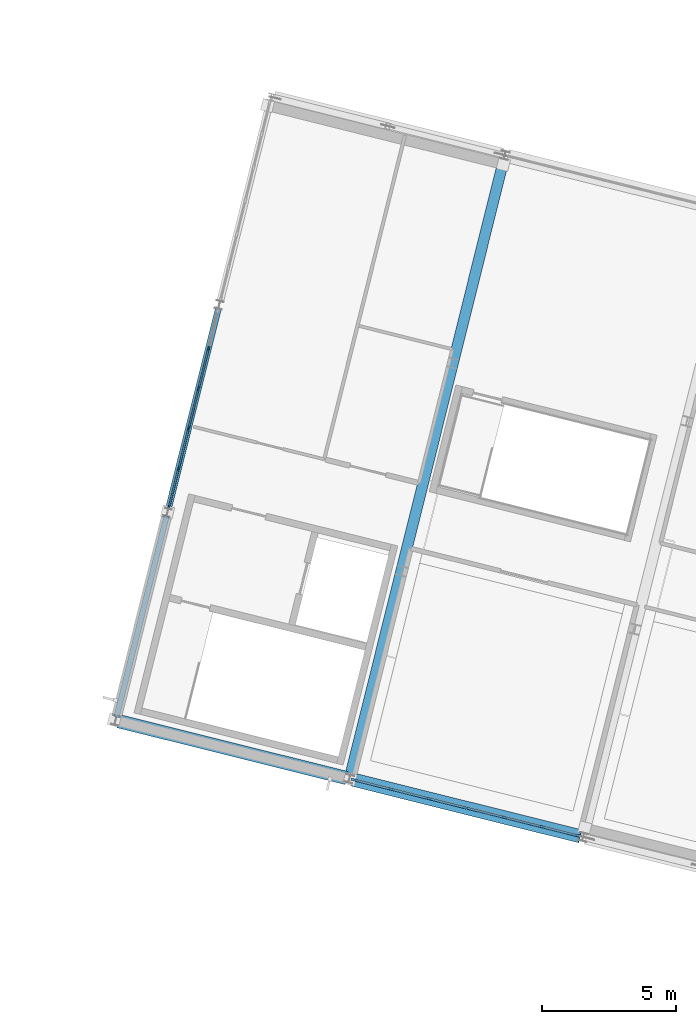
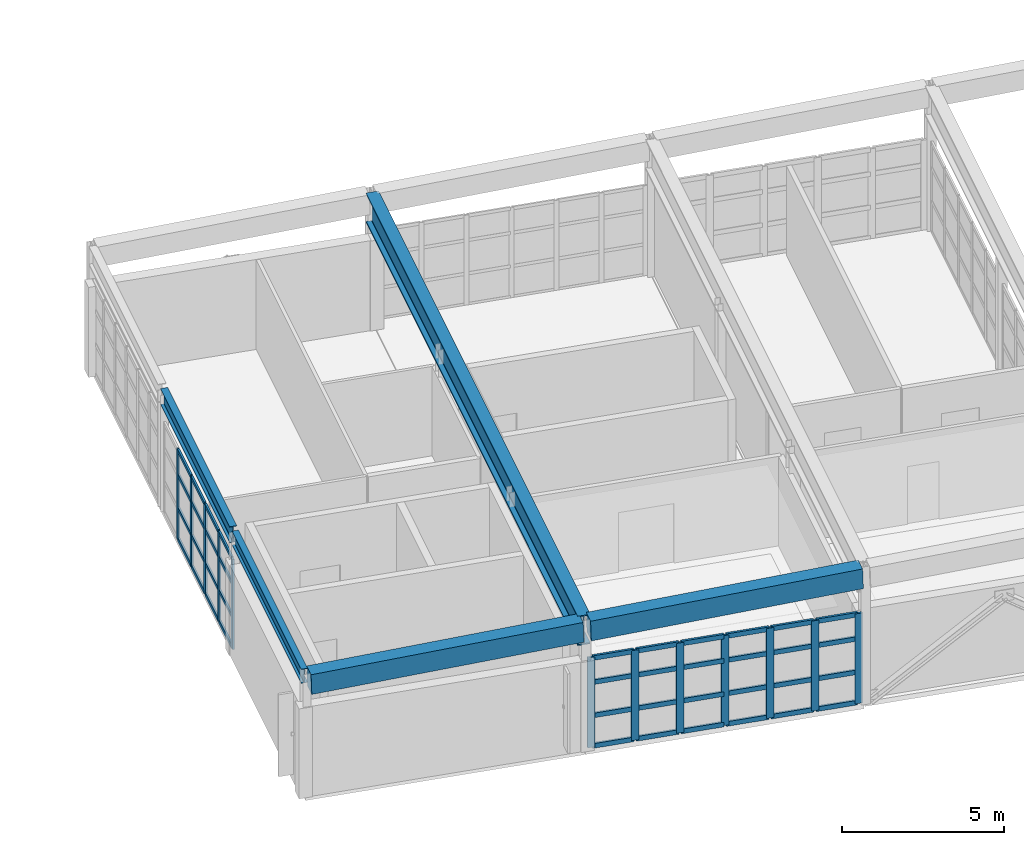
# One storey, part 8 of 27: 52 members, 5 beams, 2 elements without a shape of their own.
"""IFC4 building model written with IfcOpenShell, lengths in metres."""

from ifc_helpers import new_model, si_unit, direction, frame, origin, origin_2d, place, context, subcontext, project, spatial, rectangle, i_section, extrude, material, layer, layer_set, material_profile, profile_set, type_object, element, aggregate, save


model = new_model("IFC4")

# Units and contexts
model_context = context("Model", 3, precision=1e-05, world=origin(), true_north=direction((0.0, 1.0)))
body_context = subcontext(model_context, "Body", "Model", "MODEL_VIEW")
ifc_project = project(units=[si_unit("LENGTHUNIT", "METRE"), si_unit("AREAUNIT", "SQUARE_METRE"), si_unit("VOLUMEUNIT", "CUBIC_METRE"), si_unit("PLANEANGLEUNIT", "RADIAN"), si_unit("MASSUNIT", "GRAM", prefix="KILO")], contexts=[model_context])

# Site, building, storey
site_placement = place(None, origin())
site = spatial("IfcSite", under=ifc_project, at=site_placement, CompositionType="ELEMENT")
building_placement = place(site_placement, origin())
building = spatial("IfcBuilding", under=site, at=building_placement, Name="Vireo Bluff Cable Station", CompositionType="ELEMENT")
storey_placement = place(building_placement, frame((0.0, 0.0, 19.199951171875)))
storey = spatial("IfcBuildingStorey", under=building, at=storey_placement, Name="L04", CompositionType="ELEMENT", Elevation=19.199951171875)

# Curtain wall, members
ifc_material_1 = material(Name="Anodized Aluminium 6063-T6", Category="aluminium")
ifc_layer_1 = layer(ifc_material_1, 0.179931640625, Name="Anodized Aluminium 6063-T6")
ifc_layer_set_1 = layer_set([ifc_layer_1], Name="Anodized Aluminium 6063-T6")
curtain_wall_type_1 = type_object("IfcCurtainWallType", Name="CW-UNIT-1650", PredefinedType="USERDEFINED", material=ifc_layer_set_1)
curtain_wall_1_placement = place(storey_placement, origin())
curtain_wall_1 = element("IfcCurtainWall", 1, at=curtain_wall_1_placement, inside=storey, type_object=curtain_wall_type_1, Name="V1 L04 west curtain wall CW-032", ObjectType="UNITISED CURTAIN WALL", PredefinedType="USERDEFINED")
ifc_material_profile_1 = material_profile(ifc_material_1, rectangle(XDim=0.06494140625, YDim=0.179931640625, at=origin_2d()), Name="ALU-M-65X180")
ifc_profile_set_1 = profile_set([ifc_material_profile_1], Name="Anodized Aluminium 6063-T6")
member_type_1 = type_object("IfcMemberType", Name="CWM-01", PredefinedType="MULLION", material=ifc_profile_set_1)
member_1_placement = place(storey_placement, frame((55.981201171875, 45.9462890625, 0.0), z_axis=(0.0, 0.0, 1.0), x_axis=(-0.970295746037, 0.241921816345, 0.0)))
member_1 = element("IfcMember", 2, at=member_1_placement, type_object=member_type_1, Name="CW-032 mullion 1", PredefinedType="MULLION", context=body_context, shape_type="SweptSolid", body=[
    extrude(rectangle(XDim=0.06494140625, YDim=0.179931640625, at=origin_2d()), origin(), (0.0, 0.0, 1.0), 3.400146484375),
])
member_2_placement = place(storey_placement, frame((56.34521484375, 47.40673828125, 0.0), z_axis=(0.0, 0.0, 1.0), x_axis=(-0.970295746037, 0.241921816345, 0.0)))
member_2 = element("IfcMember", 3, at=member_2_placement, type_object=member_type_1, Name="CW-032 mullion 2", PredefinedType="MULLION", context=body_context, shape_type="SweptSolid", body=[
    extrude(rectangle(XDim=0.06494140625, YDim=0.179931640625, at=origin_2d()), origin(), (0.0, 0.0, 1.0), 3.400146484375),
])
member_3_placement = place(storey_placement, frame((56.71728515625, 48.8984375, 0.0), z_axis=(0.0, 0.0, 1.0), x_axis=(-0.970295746037, 0.241921816345, 0.0)))
member_3 = element("IfcMember", 4, at=member_3_placement, type_object=member_type_1, Name="CW-032 mullion 3", PredefinedType="MULLION", context=body_context, shape_type="SweptSolid", body=[
    extrude(rectangle(XDim=0.06494140625, YDim=0.179931640625, at=origin_2d()), origin(), (0.0, 0.0, 1.0), 3.400146484375),
])
member_4_placement = place(storey_placement, frame((57.08935546875, 50.390380859375, 0.0), z_axis=(0.0, 0.0, 1.0), x_axis=(-0.970295746037, 0.241921816345, 0.0)))
member_4 = element("IfcMember", 5, at=member_4_placement, type_object=member_type_1, Name="CW-032 mullion 4", PredefinedType="MULLION", context=body_context, shape_type="SweptSolid", body=[
    extrude(rectangle(XDim=0.06494140625, YDim=0.179931640625, at=origin_2d()), origin(), (0.0, 0.0, 1.0), 3.400146484375),
])
member_5_placement = place(storey_placement, frame((57.461181640625, 51.88232421875, 0.0), z_axis=(0.0, 0.0, 1.0), x_axis=(-0.970295746037, 0.241921816345, 0.0)))
member_5 = element("IfcMember", 6, at=member_5_placement, type_object=member_type_1, Name="CW-032 mullion 5", PredefinedType="MULLION", context=body_context, shape_type="SweptSolid", body=[
    extrude(rectangle(XDim=0.06494140625, YDim=0.179931640625, at=origin_2d()), origin(), (0.0, 0.0, 1.0), 3.400146484375),
])

ifc_layer_2 = layer(ifc_material_1, 0.179931640625, Name="Anodized Aluminium 6063-T6")
ifc_layer_set_2 = layer_set([ifc_layer_2], Name="Anodized Aluminium 6063-T6")
curtain_wall_type_2 = type_object("IfcCurtainWallType", Name="CW-UNIT-1500", PredefinedType="USERDEFINED", material=ifc_layer_set_2)
curtain_wall_2_placement = place(storey_placement, origin())
curtain_wall_2 = element("IfcCurtainWall", 7, at=curtain_wall_2_placement, inside=storey, type_object=curtain_wall_type_2, Name="V1 L04 south curtain wall CW-031", ObjectType="UNITISED CURTAIN WALL", PredefinedType="USERDEFINED")
ifc_material_profile_2 = material_profile(ifc_material_1, rectangle(XDim=0.080078125, YDim=0.239990234375, at=origin_2d()), Name="ALU-M-80X240")
ifc_profile_set_2 = profile_set([ifc_material_profile_2], Name="Anodized Aluminium 6063-T6")
member_type_2 = type_object("IfcMemberType", Name="CWM-04", PredefinedType="MULLION", material=ifc_profile_set_2)
member_6_placement = place(storey_placement, frame((71.276611328125, 33.6923828125, 0.0), z_axis=(0.0, 0.0, 1.0), x_axis=(-0.241921878749, -0.970295730477, 0.0)))
member_6 = element("IfcMember", 8, at=member_6_placement, type_object=member_type_2, Name="CW-031 mullion 1", PredefinedType="MULLION", context=body_context, shape_type="SweptSolid", body=[
    extrude(rectangle(XDim=0.080078125, YDim=0.239990234375, at=origin_2d()), origin(), (0.0, 0.0, 1.0), 3.400146484375),
])
member_7_placement = place(storey_placement, frame((69.909912109375, 34.033203125, 0.0), z_axis=(0.0, 0.0, 1.0), x_axis=(-0.241921878749, -0.970295730477, 0.0)))
member_7 = element("IfcMember", 9, at=member_7_placement, type_object=member_type_2, Name="CW-031 mullion 2", PredefinedType="MULLION", context=body_context, shape_type="SweptSolid", body=[
    extrude(rectangle(XDim=0.080078125, YDim=0.239990234375, at=origin_2d()), origin(), (0.0, 0.0, 1.0), 3.400146484375),
])
member_8_placement = place(storey_placement, frame((68.50439453125, 34.383544921875, 0.0), z_axis=(0.0, 0.0, 1.0), x_axis=(-0.241921878749, -0.970295730477, 0.0)))
member_8 = element("IfcMember", 10, at=member_8_placement, type_object=member_type_2, Name="CW-031 mullion 3", PredefinedType="MULLION", context=body_context, shape_type="SweptSolid", body=[
    extrude(rectangle(XDim=0.080078125, YDim=0.239990234375, at=origin_2d()), origin(), (0.0, 0.0, 1.0), 3.400146484375),
])
member_9_placement = place(storey_placement, frame((67.098876953125, 34.734130859375, 0.0), z_axis=(0.0, 0.0, 1.0), x_axis=(-0.241921878749, -0.970295730477, 0.0)))
member_9 = element("IfcMember", 11, at=member_9_placement, type_object=member_type_2, Name="CW-031 mullion 4", PredefinedType="MULLION", context=body_context, shape_type="SweptSolid", body=[
    extrude(rectangle(XDim=0.080078125, YDim=0.239990234375, at=origin_2d()), origin(), (0.0, 0.0, 1.0), 3.400146484375),
])
member_10_placement = place(storey_placement, frame((65.693603515625, 35.08447265625, 0.0), z_axis=(0.0, 0.0, 1.0), x_axis=(-0.241921878749, -0.970295730477, 0.0)))
member_10 = element("IfcMember", 12, at=member_10_placement, type_object=member_type_2, Name="CW-031 mullion 5", PredefinedType="MULLION", context=body_context, shape_type="SweptSolid", body=[
    extrude(rectangle(XDim=0.080078125, YDim=0.239990234375, at=origin_2d()), origin(), (0.0, 0.0, 1.0), 3.400146484375),
])
member_11_placement = place(storey_placement, frame((64.2880859375, 35.434814453125, 0.0), z_axis=(0.0, 0.0, 1.0), x_axis=(-0.241921878749, -0.970295730477, 0.0)))
member_11 = element("IfcMember", 13, at=member_11_placement, type_object=member_type_2, Name="CW-031 mullion 6", PredefinedType="MULLION", context=body_context, shape_type="SweptSolid", body=[
    extrude(rectangle(XDim=0.080078125, YDim=0.239990234375, at=origin_2d()), origin(), (0.0, 0.0, 1.0), 3.400146484375),
])
member_12_placement = place(storey_placement, frame((62.92138671875, 35.775634765625, 0.0), z_axis=(0.0, 0.0, 1.0), x_axis=(-0.241921878749, -0.970295730477, 0.0)))
member_12 = element("IfcMember", 14, at=member_12_placement, type_object=member_type_2, Name="CW-031 mullion 7", PredefinedType="MULLION", context=body_context, shape_type="SweptSolid", body=[
    extrude(rectangle(XDim=0.080078125, YDim=0.239990234375, at=origin_2d()), origin(), (0.0, 0.0, 1.0), 3.400146484375),
])

# Member
ifc_material_profile_3 = material_profile(ifc_material_1, rectangle(XDim=0.06494140625, YDim=0.139892578125, at=origin_2d()), Name="ALU-T-65X140")
ifc_profile_set_3 = profile_set([ifc_material_profile_3], Name="Anodized Aluminium 6063-T6")
member_type_3 = type_object("IfcMemberType", Name="CWT-01", PredefinedType="USERDEFINED", material=ifc_profile_set_3)
member_13_placement = place(storey_placement, frame((55.989013671875, 45.977783203125, 0.032470703125), z_axis=(0.241937193493, 0.970291911955, 0.0), x_axis=(-0.970291911955, 0.241937193493, 0.0)))
member_13 = element("IfcMember", 15, at=member_13_placement, type_object=member_type_3, Name="CW-032 transom 1.1", ObjectType="TRANSOM", PredefinedType="USERDEFINED", context=body_context, shape_type="SweptSolid", body=[
    extrude(rectangle(XDim=0.06494140625, YDim=0.139892578125, at=origin_2d()), origin(), (0.0, 0.0, 1.0), 1.43994140625),
])

member_14_placement = place(storey_placement, frame((55.989013671875, 45.977783203125, 1.18994140625), z_axis=(0.241937193493, 0.970291911955, 0.0), x_axis=(-0.970291911955, 0.241937193493, 0.0)))
member_14 = element("IfcMember", 16, at=member_14_placement, type_object=member_type_3, Name="CW-032 transom 1.2", ObjectType="TRANSOM", PredefinedType="USERDEFINED", context=body_context, shape_type="SweptSolid", body=[
    extrude(rectangle(XDim=0.06494140625, YDim=0.139892578125, at=origin_2d()), origin(), (0.0, 0.0, 1.0), 1.43994140625),
])

member_15_placement = place(storey_placement, frame((55.989013671875, 45.977783203125, 2.447998046875), z_axis=(0.241937193493, 0.970291911955, 0.0), x_axis=(-0.970291911955, 0.241937193493, 0.0)))
member_15 = element("IfcMember", 17, at=member_15_placement, type_object=member_type_3, Name="CW-032 transom 1.3", ObjectType="TRANSOM", PredefinedType="USERDEFINED", context=body_context, shape_type="SweptSolid", body=[
    extrude(rectangle(XDim=0.06494140625, YDim=0.139892578125, at=origin_2d()), origin(), (0.0, 0.0, 1.0), 1.43994140625),
])

member_16_placement = place(storey_placement, frame((55.989013671875, 45.977783203125, 3.367431640625), z_axis=(0.241937193493, 0.970291911955, 0.0), x_axis=(-0.970291911955, 0.241937193493, 0.0)))
member_16 = element("IfcMember", 18, at=member_16_placement, type_object=member_type_3, Name="CW-032 transom 1.4", ObjectType="TRANSOM", PredefinedType="USERDEFINED", context=body_context, shape_type="SweptSolid", body=[
    extrude(rectangle(XDim=0.06494140625, YDim=0.139892578125, at=origin_2d()), origin(), (0.0, 0.0, 1.0), 1.43994140625),
])

member_17_placement = place(storey_placement, frame((56.353271484375, 47.438232421875, 0.032470703125), z_axis=(0.241911362954, 0.970298352299, 0.0), x_axis=(-0.970298352299, 0.241911362954, 0.0)))
member_17 = element("IfcMember", 19, at=member_17_placement, type_object=member_type_3, Name="CW-032 transom 2.1", ObjectType="TRANSOM", PredefinedType="USERDEFINED", context=body_context, shape_type="SweptSolid", body=[
    extrude(rectangle(XDim=0.06494140625, YDim=0.139892578125, at=origin_2d()), origin(), (0.0, 0.0, 1.0), 1.472412109375),
])

member_18_placement = place(storey_placement, frame((56.353271484375, 47.438232421875, 1.18994140625), z_axis=(0.241911362954, 0.970298352299, 0.0), x_axis=(-0.970298352299, 0.241911362954, 0.0)))
member_18 = element("IfcMember", 20, at=member_18_placement, type_object=member_type_3, Name="CW-032 transom 2.2", ObjectType="TRANSOM", PredefinedType="USERDEFINED", context=body_context, shape_type="SweptSolid", body=[
    extrude(rectangle(XDim=0.06494140625, YDim=0.139892578125, at=origin_2d()), origin(), (0.0, 0.0, 1.0), 1.472412109375),
])

member_19_placement = place(storey_placement, frame((56.353271484375, 47.438232421875, 2.447998046875), z_axis=(0.241911362954, 0.970298352299, 0.0), x_axis=(-0.970298352299, 0.241911362954, 0.0)))
member_19 = element("IfcMember", 21, at=member_19_placement, type_object=member_type_3, Name="CW-032 transom 2.3", ObjectType="TRANSOM", PredefinedType="USERDEFINED", context=body_context, shape_type="SweptSolid", body=[
    extrude(rectangle(XDim=0.06494140625, YDim=0.139892578125, at=origin_2d()), origin(), (0.0, 0.0, 1.0), 1.472412109375),
])

member_20_placement = place(storey_placement, frame((56.353271484375, 47.438232421875, 3.367431640625), z_axis=(0.241911362954, 0.970298352299, 0.0), x_axis=(-0.970298352299, 0.241911362954, 0.0)))
member_20 = element("IfcMember", 22, at=member_20_placement, type_object=member_type_3, Name="CW-032 transom 2.4", ObjectType="TRANSOM", PredefinedType="USERDEFINED", context=body_context, shape_type="SweptSolid", body=[
    extrude(rectangle(XDim=0.06494140625, YDim=0.139892578125, at=origin_2d()), origin(), (0.0, 0.0, 1.0), 1.472412109375),
])

member_21_placement = place(storey_placement, frame((56.72509765625, 48.93017578125, 0.032470703125), z_axis=(0.242067456673, 0.970259422227, 0.0), x_axis=(-0.970259422227, 0.242067456673, 0.0)))
member_21 = element("IfcMember", 23, at=member_21_placement, type_object=member_type_3, Name="CW-032 transom 3.1", ObjectType="TRANSOM", PredefinedType="USERDEFINED", context=body_context, shape_type="SweptSolid", body=[
    extrude(rectangle(XDim=0.06494140625, YDim=0.139892578125, at=origin_2d()), origin(), (0.0, 0.0, 1.0), 1.472412109375),
])

member_22_placement = place(storey_placement, frame((56.72509765625, 48.93017578125, 1.18994140625), z_axis=(0.242067456673, 0.970259422227, 0.0), x_axis=(-0.970259422227, 0.242067456673, 0.0)))
member_22 = element("IfcMember", 24, at=member_22_placement, type_object=member_type_3, Name="CW-032 transom 3.2", ObjectType="TRANSOM", PredefinedType="USERDEFINED", context=body_context, shape_type="SweptSolid", body=[
    extrude(rectangle(XDim=0.06494140625, YDim=0.139892578125, at=origin_2d()), origin(), (0.0, 0.0, 1.0), 1.472412109375),
])

member_23_placement = place(storey_placement, frame((56.72509765625, 48.93017578125, 2.447998046875), z_axis=(0.242067456673, 0.970259422227, 0.0), x_axis=(-0.970259422227, 0.242067456673, 0.0)))
member_23 = element("IfcMember", 25, at=member_23_placement, type_object=member_type_3, Name="CW-032 transom 3.3", ObjectType="TRANSOM", PredefinedType="USERDEFINED", context=body_context, shape_type="SweptSolid", body=[
    extrude(rectangle(XDim=0.06494140625, YDim=0.139892578125, at=origin_2d()), origin(), (0.0, 0.0, 1.0), 1.472412109375),
])

member_24_placement = place(storey_placement, frame((56.72509765625, 48.93017578125, 3.367431640625), z_axis=(0.242067456673, 0.970259422227, 0.0), x_axis=(-0.970259422227, 0.242067456673, 0.0)))
member_24 = element("IfcMember", 26, at=member_24_placement, type_object=member_type_3, Name="CW-032 transom 3.4", ObjectType="TRANSOM", PredefinedType="USERDEFINED", context=body_context, shape_type="SweptSolid", body=[
    extrude(rectangle(XDim=0.06494140625, YDim=0.139892578125, at=origin_2d()), origin(), (0.0, 0.0, 1.0), 1.472412109375),
])

member_25_placement = place(storey_placement, frame((57.09716796875, 50.422119140625, 0.032470703125), z_axis=(0.241911362954, 0.970298352299, 0.0), x_axis=(-0.970298352299, 0.241911362954, 0.0)))
member_25 = element("IfcMember", 27, at=member_25_placement, type_object=member_type_3, Name="CW-032 transom 4.1", ObjectType="TRANSOM", PredefinedType="USERDEFINED", context=body_context, shape_type="SweptSolid", body=[
    extrude(rectangle(XDim=0.06494140625, YDim=0.139892578125, at=origin_2d()), origin(), (0.0, 0.0, 1.0), 1.472412109375),
])

member_26_placement = place(storey_placement, frame((57.09716796875, 50.422119140625, 1.18994140625), z_axis=(0.241911362954, 0.970298352299, 0.0), x_axis=(-0.970298352299, 0.241911362954, 0.0)))
member_26 = element("IfcMember", 28, at=member_26_placement, type_object=member_type_3, Name="CW-032 transom 4.2", ObjectType="TRANSOM", PredefinedType="USERDEFINED", context=body_context, shape_type="SweptSolid", body=[
    extrude(rectangle(XDim=0.06494140625, YDim=0.139892578125, at=origin_2d()), origin(), (0.0, 0.0, 1.0), 1.472412109375),
])

member_27_placement = place(storey_placement, frame((57.09716796875, 50.422119140625, 2.447998046875), z_axis=(0.241911362954, 0.970298352299, 0.0), x_axis=(-0.970298352299, 0.241911362954, 0.0)))
member_27 = element("IfcMember", 29, at=member_27_placement, type_object=member_type_3, Name="CW-032 transom 4.3", ObjectType="TRANSOM", PredefinedType="USERDEFINED", context=body_context, shape_type="SweptSolid", body=[
    extrude(rectangle(XDim=0.06494140625, YDim=0.139892578125, at=origin_2d()), origin(), (0.0, 0.0, 1.0), 1.472412109375),
])

member_28_placement = place(storey_placement, frame((57.09716796875, 50.422119140625, 3.367431640625), z_axis=(0.241911362954, 0.970298352299, 0.0), x_axis=(-0.970298352299, 0.241911362954, 0.0)))
member_28 = element("IfcMember", 30, at=member_28_placement, type_object=member_type_3, Name="CW-032 transom 4.4", ObjectType="TRANSOM", PredefinedType="USERDEFINED", context=body_context, shape_type="SweptSolid", body=[
    extrude(rectangle(XDim=0.06494140625, YDim=0.139892578125, at=origin_2d()), origin(), (0.0, 0.0, 1.0), 1.472412109375),
])

aggregate(curtain_wall_1, [member_1, member_2, member_3, member_4, member_5, member_13, member_14, member_15, member_16, member_17, member_18, member_19, member_20, member_21, member_22, member_23, member_24, member_25, member_26, member_27, member_28])

ifc_material_profile_4 = material_profile(ifc_material_1, rectangle(XDim=0.080078125, YDim=0.175048828125, at=origin_2d()), Name="ALU-T-80X175")
ifc_profile_set_4 = profile_set([ifc_material_profile_4], Name="Anodized Aluminium 6063-T6")
member_type_4 = type_object("IfcMemberType", Name="CWT-04", PredefinedType="USERDEFINED", material=ifc_profile_set_4)
member_29_placement = place(storey_placement, frame((71.23779296875, 33.7021484375, 0.0400390625), z_axis=(-0.970315215168, 0.241843716508, 0.0), x_axis=(-0.241843716508, -0.970315215168, 0.0)))
member_29 = element("IfcMember", 31, at=member_29_placement, type_object=member_type_4, Name="CW-031 transom 1.1", ObjectType="TRANSOM", PredefinedType="USERDEFINED", context=body_context, shape_type="SweptSolid", body=[
    extrude(rectangle(XDim=0.080078125, YDim=0.175048828125, at=origin_2d()), origin(), (0.0, 0.0, 1.0), 1.32861328125),
])

member_30_placement = place(storey_placement, frame((71.23779296875, 33.7021484375, 1.18994140625), z_axis=(-0.970315215168, 0.241843716508, 0.0), x_axis=(-0.241843716508, -0.970315215168, 0.0)))
member_30 = element("IfcMember", 32, at=member_30_placement, type_object=member_type_4, Name="CW-031 transom 1.2", ObjectType="TRANSOM", PredefinedType="USERDEFINED", context=body_context, shape_type="SweptSolid", body=[
    extrude(rectangle(XDim=0.080078125, YDim=0.175048828125, at=origin_2d()), origin(), (0.0, 0.0, 1.0), 1.32861328125),
])

member_31_placement = place(storey_placement, frame((71.23779296875, 33.7021484375, 2.447998046875), z_axis=(-0.970315215168, 0.241843716508, 0.0), x_axis=(-0.241843716508, -0.970315215168, 0.0)))
member_31 = element("IfcMember", 33, at=member_31_placement, type_object=member_type_4, Name="CW-031 transom 1.3", ObjectType="TRANSOM", PredefinedType="USERDEFINED", context=body_context, shape_type="SweptSolid", body=[
    extrude(rectangle(XDim=0.080078125, YDim=0.175048828125, at=origin_2d()), origin(), (0.0, 0.0, 1.0), 1.32861328125),
])

member_32_placement = place(storey_placement, frame((71.23779296875, 33.7021484375, 3.360107421875), z_axis=(-0.970315215168, 0.241843716508, 0.0), x_axis=(-0.241843716508, -0.970315215168, 0.0)))
member_32 = element("IfcMember", 34, at=member_32_placement, type_object=member_type_4, Name="CW-031 transom 1.4", ObjectType="TRANSOM", PredefinedType="USERDEFINED", context=body_context, shape_type="SweptSolid", body=[
    extrude(rectangle(XDim=0.080078125, YDim=0.175048828125, at=origin_2d()), origin(), (0.0, 0.0, 1.0), 1.32861328125),
])

member_33_placement = place(storey_placement, frame((69.87109375, 34.04296875, 0.0400390625), z_axis=(-0.970299704686, 0.24190593851, 0.0), x_axis=(-0.24190593851, -0.970299704686, 0.0)))
member_33 = element("IfcMember", 35, at=member_33_placement, type_object=member_type_4, Name="CW-031 transom 2.1", ObjectType="TRANSOM", PredefinedType="USERDEFINED", context=body_context, shape_type="SweptSolid", body=[
    extrude(rectangle(XDim=0.080078125, YDim=0.175048828125, at=origin_2d()), origin(), (0.0, 0.0, 1.0), 1.368408203125),
])

member_34_placement = place(storey_placement, frame((69.87109375, 34.04296875, 1.18994140625), z_axis=(-0.970299704686, 0.24190593851, 0.0), x_axis=(-0.24190593851, -0.970299704686, 0.0)))
member_34 = element("IfcMember", 36, at=member_34_placement, type_object=member_type_4, Name="CW-031 transom 2.2", ObjectType="TRANSOM", PredefinedType="USERDEFINED", context=body_context, shape_type="SweptSolid", body=[
    extrude(rectangle(XDim=0.080078125, YDim=0.175048828125, at=origin_2d()), origin(), (0.0, 0.0, 1.0), 1.368408203125),
])

member_35_placement = place(storey_placement, frame((69.87109375, 34.04296875, 2.447998046875), z_axis=(-0.970299704686, 0.24190593851, 0.0), x_axis=(-0.24190593851, -0.970299704686, 0.0)))
member_35 = element("IfcMember", 37, at=member_35_placement, type_object=member_type_4, Name="CW-031 transom 2.3", ObjectType="TRANSOM", PredefinedType="USERDEFINED", context=body_context, shape_type="SweptSolid", body=[
    extrude(rectangle(XDim=0.080078125, YDim=0.175048828125, at=origin_2d()), origin(), (0.0, 0.0, 1.0), 1.368408203125),
])

member_36_placement = place(storey_placement, frame((69.87109375, 34.04296875, 3.360107421875), z_axis=(-0.970299704686, 0.24190593851, 0.0), x_axis=(-0.24190593851, -0.970299704686, 0.0)))
member_36 = element("IfcMember", 38, at=member_36_placement, type_object=member_type_4, Name="CW-031 transom 2.4", ObjectType="TRANSOM", PredefinedType="USERDEFINED", context=body_context, shape_type="SweptSolid", body=[
    extrude(rectangle(XDim=0.080078125, YDim=0.175048828125, at=origin_2d()), origin(), (0.0, 0.0, 1.0), 1.368408203125),
])

member_37_placement = place(storey_placement, frame((68.465576171875, 34.393310546875, 0.0400390625), z_axis=(-0.970299704686, 0.24190593851, 0.0), x_axis=(-0.24190593851, -0.970299704686, 0.0)))
member_37 = element("IfcMember", 39, at=member_37_placement, type_object=member_type_4, Name="CW-031 transom 3.1", ObjectType="TRANSOM", PredefinedType="USERDEFINED", context=body_context, shape_type="SweptSolid", body=[
    extrude(rectangle(XDim=0.080078125, YDim=0.175048828125, at=origin_2d()), origin(), (0.0, 0.0, 1.0), 1.368408203125),
])

member_38_placement = place(storey_placement, frame((68.465576171875, 34.393310546875, 1.18994140625), z_axis=(-0.970299704686, 0.24190593851, 0.0), x_axis=(-0.24190593851, -0.970299704686, 0.0)))
member_38 = element("IfcMember", 40, at=member_38_placement, type_object=member_type_4, Name="CW-031 transom 3.2", ObjectType="TRANSOM", PredefinedType="USERDEFINED", context=body_context, shape_type="SweptSolid", body=[
    extrude(rectangle(XDim=0.080078125, YDim=0.175048828125, at=origin_2d()), origin(), (0.0, 0.0, 1.0), 1.368408203125),
])

member_39_placement = place(storey_placement, frame((68.465576171875, 34.393310546875, 2.447998046875), z_axis=(-0.970299704686, 0.24190593851, 0.0), x_axis=(-0.24190593851, -0.970299704686, 0.0)))
member_39 = element("IfcMember", 41, at=member_39_placement, type_object=member_type_4, Name="CW-031 transom 3.3", ObjectType="TRANSOM", PredefinedType="USERDEFINED", context=body_context, shape_type="SweptSolid", body=[
    extrude(rectangle(XDim=0.080078125, YDim=0.175048828125, at=origin_2d()), origin(), (0.0, 0.0, 1.0), 1.368408203125),
])

member_40_placement = place(storey_placement, frame((68.465576171875, 34.393310546875, 3.360107421875), z_axis=(-0.970299704686, 0.24190593851, 0.0), x_axis=(-0.24190593851, -0.970299704686, 0.0)))
member_40 = element("IfcMember", 42, at=member_40_placement, type_object=member_type_4, Name="CW-031 transom 3.4", ObjectType="TRANSOM", PredefinedType="USERDEFINED", context=body_context, shape_type="SweptSolid", body=[
    extrude(rectangle(XDim=0.080078125, YDim=0.175048828125, at=origin_2d()), origin(), (0.0, 0.0, 1.0), 1.368408203125),
])

member_41_placement = place(storey_placement, frame((67.06005859375, 34.74365234375, 0.0400390625), z_axis=(-0.97028926247, 0.241947819034, 0.0), x_axis=(-0.241947819034, -0.97028926247, 0.0)))
member_41 = element("IfcMember", 43, at=member_41_placement, type_object=member_type_4, Name="CW-031 transom 4.1", ObjectType="TRANSOM", PredefinedType="USERDEFINED", context=body_context, shape_type="SweptSolid", body=[
    extrude(rectangle(XDim=0.080078125, YDim=0.175048828125, at=origin_2d()), origin(), (0.0, 0.0, 1.0), 1.368408203125),
])

member_42_placement = place(storey_placement, frame((67.06005859375, 34.74365234375, 1.18994140625), z_axis=(-0.97028926247, 0.241947819034, 0.0), x_axis=(-0.241947819034, -0.97028926247, 0.0)))
member_42 = element("IfcMember", 44, at=member_42_placement, type_object=member_type_4, Name="CW-031 transom 4.2", ObjectType="TRANSOM", PredefinedType="USERDEFINED", context=body_context, shape_type="SweptSolid", body=[
    extrude(rectangle(XDim=0.080078125, YDim=0.175048828125, at=origin_2d()), origin(), (0.0, 0.0, 1.0), 1.368408203125),
])

member_43_placement = place(storey_placement, frame((67.06005859375, 34.74365234375, 2.447998046875), z_axis=(-0.97028926247, 0.241947819034, 0.0), x_axis=(-0.241947819034, -0.97028926247, 0.0)))
member_43 = element("IfcMember", 45, at=member_43_placement, type_object=member_type_4, Name="CW-031 transom 4.3", ObjectType="TRANSOM", PredefinedType="USERDEFINED", context=body_context, shape_type="SweptSolid", body=[
    extrude(rectangle(XDim=0.080078125, YDim=0.175048828125, at=origin_2d()), origin(), (0.0, 0.0, 1.0), 1.368408203125),
])

member_44_placement = place(storey_placement, frame((67.06005859375, 34.74365234375, 3.360107421875), z_axis=(-0.97028926247, 0.241947819034, 0.0), x_axis=(-0.241947819034, -0.97028926247, 0.0)))
member_44 = element("IfcMember", 46, at=member_44_placement, type_object=member_type_4, Name="CW-031 transom 4.4", ObjectType="TRANSOM", PredefinedType="USERDEFINED", context=body_context, shape_type="SweptSolid", body=[
    extrude(rectangle(XDim=0.080078125, YDim=0.175048828125, at=origin_2d()), origin(), (0.0, 0.0, 1.0), 1.368408203125),
])

member_45_placement = place(storey_placement, frame((65.65478515625, 35.09423828125, 0.0400390625), z_axis=(-0.970299704686, 0.24190593851, 0.0), x_axis=(-0.24190593851, -0.970299704686, 0.0)))
member_45 = element("IfcMember", 47, at=member_45_placement, type_object=member_type_4, Name="CW-031 transom 5.1", ObjectType="TRANSOM", PredefinedType="USERDEFINED", context=body_context, shape_type="SweptSolid", body=[
    extrude(rectangle(XDim=0.080078125, YDim=0.175048828125, at=origin_2d()), origin(), (0.0, 0.0, 1.0), 1.368408203125),
])

member_46_placement = place(storey_placement, frame((65.65478515625, 35.09423828125, 1.18994140625), z_axis=(-0.970299704686, 0.24190593851, 0.0), x_axis=(-0.24190593851, -0.970299704686, 0.0)))
member_46 = element("IfcMember", 48, at=member_46_placement, type_object=member_type_4, Name="CW-031 transom 5.2", ObjectType="TRANSOM", PredefinedType="USERDEFINED", context=body_context, shape_type="SweptSolid", body=[
    extrude(rectangle(XDim=0.080078125, YDim=0.175048828125, at=origin_2d()), origin(), (0.0, 0.0, 1.0), 1.368408203125),
])

member_47_placement = place(storey_placement, frame((65.65478515625, 35.09423828125, 2.447998046875), z_axis=(-0.970299704686, 0.24190593851, 0.0), x_axis=(-0.24190593851, -0.970299704686, 0.0)))
member_47 = element("IfcMember", 49, at=member_47_placement, type_object=member_type_4, Name="CW-031 transom 5.3", ObjectType="TRANSOM", PredefinedType="USERDEFINED", context=body_context, shape_type="SweptSolid", body=[
    extrude(rectangle(XDim=0.080078125, YDim=0.175048828125, at=origin_2d()), origin(), (0.0, 0.0, 1.0), 1.368408203125),
])

member_48_placement = place(storey_placement, frame((65.65478515625, 35.09423828125, 3.360107421875), z_axis=(-0.970299704686, 0.24190593851, 0.0), x_axis=(-0.24190593851, -0.970299704686, 0.0)))
member_48 = element("IfcMember", 50, at=member_48_placement, type_object=member_type_4, Name="CW-031 transom 5.4", ObjectType="TRANSOM", PredefinedType="USERDEFINED", context=body_context, shape_type="SweptSolid", body=[
    extrude(rectangle(XDim=0.080078125, YDim=0.175048828125, at=origin_2d()), origin(), (0.0, 0.0, 1.0), 1.368408203125),
])

member_49_placement = place(storey_placement, frame((64.249267578125, 35.444580078125, 0.0400390625), z_axis=(-0.970315215168, 0.241843716508, 0.0), x_axis=(-0.241843716508, -0.970315215168, 0.0)))
member_49 = element("IfcMember", 51, at=member_49_placement, type_object=member_type_4, Name="CW-031 transom 6.1", ObjectType="TRANSOM", PredefinedType="USERDEFINED", context=body_context, shape_type="SweptSolid", body=[
    extrude(rectangle(XDim=0.080078125, YDim=0.175048828125, at=origin_2d()), origin(), (0.0, 0.0, 1.0), 1.32861328125),
])

member_50_placement = place(storey_placement, frame((64.249267578125, 35.444580078125, 1.18994140625), z_axis=(-0.970315215168, 0.241843716508, 0.0), x_axis=(-0.241843716508, -0.970315215168, 0.0)))
member_50 = element("IfcMember", 52, at=member_50_placement, type_object=member_type_4, Name="CW-031 transom 6.2", ObjectType="TRANSOM", PredefinedType="USERDEFINED", context=body_context, shape_type="SweptSolid", body=[
    extrude(rectangle(XDim=0.080078125, YDim=0.175048828125, at=origin_2d()), origin(), (0.0, 0.0, 1.0), 1.32861328125),
])

member_51_placement = place(storey_placement, frame((64.249267578125, 35.444580078125, 2.447998046875), z_axis=(-0.970315215168, 0.241843716508, 0.0), x_axis=(-0.241843716508, -0.970315215168, 0.0)))
member_51 = element("IfcMember", 53, at=member_51_placement, type_object=member_type_4, Name="CW-031 transom 6.3", ObjectType="TRANSOM", PredefinedType="USERDEFINED", context=body_context, shape_type="SweptSolid", body=[
    extrude(rectangle(XDim=0.080078125, YDim=0.175048828125, at=origin_2d()), origin(), (0.0, 0.0, 1.0), 1.32861328125),
])

member_52_placement = place(storey_placement, frame((64.249267578125, 35.444580078125, 3.360107421875), z_axis=(-0.970315215168, 0.241843716508, 0.0), x_axis=(-0.241843716508, -0.970315215168, 0.0)))
member_52 = element("IfcMember", 54, at=member_52_placement, type_object=member_type_4, Name="CW-031 transom 6.4", ObjectType="TRANSOM", PredefinedType="USERDEFINED", context=body_context, shape_type="SweptSolid", body=[
    extrude(rectangle(XDim=0.080078125, YDim=0.175048828125, at=origin_2d()), origin(), (0.0, 0.0, 1.0), 1.32861328125),
])

aggregate(curtain_wall_2, [member_6, member_7, member_8, member_9, member_10, member_11, member_12, member_29, member_30, member_31, member_32, member_33, member_34, member_35, member_36, member_37, member_38, member_39, member_40, member_41, member_42, member_43, member_44, member_45, member_46, member_47, member_48, member_49, member_50, member_51, member_52])

# Beams
ifc_material_2 = material(Name="Steel ASTM A992 Gr. 50", Category="steel")
ifc_material_profile_5 = material_profile(ifc_material_2, i_section(OverallWidth=0.404052734375, OverallDepth=1.117919921875, WebThickness=0.026123046875, FlangeThickness=0.044921875, FilletRadius=0.02197265625, at=origin_2d()), Name="W44X335")
ifc_profile_set_5 = profile_set([ifc_material_profile_5], Name="Steel ASTM A992 Gr. 50")
beam_type_1 = type_object("IfcBeamType", Name="GIR-W44X335", PredefinedType="USERDEFINED", material=ifc_profile_set_5)
beam_1_placement = place(storey_placement, frame((62.76171875, 35.939208984375, 4.36669921875), z_axis=(0.241921476637, 0.970295830735, 0.0), x_axis=(-0.970295830735, 0.241921476637, 0.0)))
element("IfcBeam", 55, at=beam_1_placement, inside=storey, type_object=beam_type_1, Name="V1 L04 beam 348", ObjectType="GIRDER", PredefinedType="USERDEFINED", context=body_context, shape_type="SweptSolid", body=[
    extrude(i_section(OverallWidth=0.404052734375, OverallDepth=1.117919921875, WebThickness=0.026123046875, FlangeThickness=0.044921875, FilletRadius=0.02197265625, at=origin_2d()), origin(), (0.0, 0.0, 1.0), 23.760009765625),
])
ifc_material_3 = material(Name="Concrete f'c 40 MPa", Category="concrete")
ifc_material_profile_6 = material_profile(ifc_material_3, rectangle(XDim=0.5, YDim=0.75, at=origin_2d()), Name="RC-EB-500X750")
ifc_profile_set_6 = profile_set([ifc_material_profile_6], Name="Concrete f'c 40 MPa")
beam_type_2 = type_object("IfcBeamType", Name="RCEB-03", PredefinedType="SPANDREL", material=ifc_profile_set_6)
for number, where, z_axis, x_axis, name in (
    (56, (54.116455078125, 37.970947265625, 4.26513671875), (0.969782604745, -0.241784087583, 0.032590712266), (0.241912595995, 0.970298044881, 0.0), "V1 L04 spandrel 333"),
    (57, (62.84912109375, 35.793701171875, 4.55078125), (0.969776072977, -0.241810314218, 0.032590492758), (0.241938834838, 0.970291502693, 0.0), "V1 L04 spandrel 334"),
):
    element("IfcBeam", number, at=place(storey_placement, frame(where, z_axis=z_axis, x_axis=x_axis)), inside=storey, type_object=beam_type_2, Name=name, PredefinedType="SPANDREL", context=body_context, shape_type="SweptSolid", body=[
        extrude(rectangle(XDim=0.5, YDim=0.75, at=origin_2d()), origin(), (0.0, 0.0, 1.0), 8.7646484375),
    ])
ifc_material_profile_7 = material_profile(ifc_material_2, i_section(OverallWidth=0.2099609375, OverallDepth=0.535888671875, WebThickness=0.010986328125, FlangeThickness=0.017333984375, FilletRadius=0.012939453125, at=origin_2d()), Name="W21X68")
ifc_profile_set_7 = profile_set([ifc_material_profile_7], Name="Steel ASTM A992 Gr. 50")
beam_type_3 = type_object("IfcBeamType", Name="SPN-W21X68", PredefinedType="SPANDREL", material=ifc_profile_set_7)
beam_2_placement = place(storey_placement, frame((54.029052734375, 38.116455078125, 4.3720703125), z_axis=(0.241906346953, 0.970299602857, 0.0), x_axis=(-0.970299602857, 0.241906346953, 0.0)))
element("IfcBeam", 58, at=beam_2_placement, inside=storey, type_object=beam_type_3, Name="V1 L04 spandrel 345", PredefinedType="SPANDREL", context=body_context, shape_type="SweptSolid", body=[
    extrude(i_section(OverallWidth=0.2099609375, OverallDepth=0.535888671875, WebThickness=0.010986328125, FlangeThickness=0.017333984375, FilletRadius=0.012939453125, at=origin_2d()), origin(), (0.0, 0.0, 1.0), 7.760009765625),
])
ifc_material_profile_8 = material_profile(ifc_material_2, i_section(OverallWidth=0.22802734375, OverallDepth=0.60693359375, WebThickness=0.01123046875, FlangeThickness=0.017333984375, FilletRadius=0.012939453125, at=origin_2d()), Name="W24X76")
ifc_profile_set_8 = profile_set([ifc_material_profile_8], Name="Steel ASTM A992 Gr. 50")
beam_type_4 = type_object("IfcBeamType", Name="SPN-W24X76", PredefinedType="SPANDREL", material=ifc_profile_set_8)
beam_3_placement = place(storey_placement, frame((55.96435546875, 45.87890625, 4.336669921875), z_axis=(0.241943352562, 0.970290376203, 0.0), x_axis=(-0.970290376203, 0.241943352562, 0.0)))
element("IfcBeam", 59, at=beam_3_placement, inside=storey, type_object=beam_type_4, Name="V1 L04 spandrel 346", PredefinedType="SPANDREL", context=body_context, shape_type="SweptSolid", body=[
    extrude(i_section(OverallWidth=0.22802734375, OverallDepth=0.60693359375, WebThickness=0.01123046875, FlangeThickness=0.017333984375, FilletRadius=0.012939453125, at=origin_2d()), origin(), (0.0, 0.0, 1.0), 7.759765625),
])

save(model, "model.ifc")
